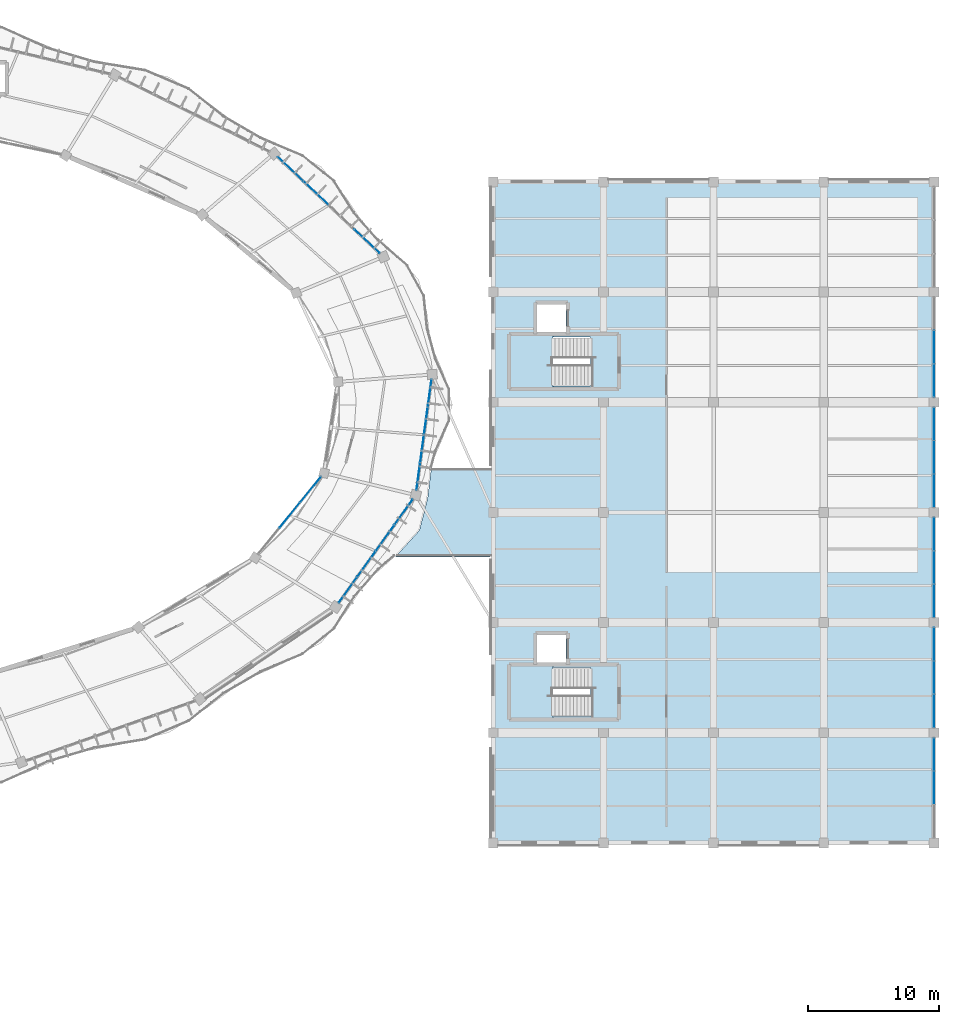
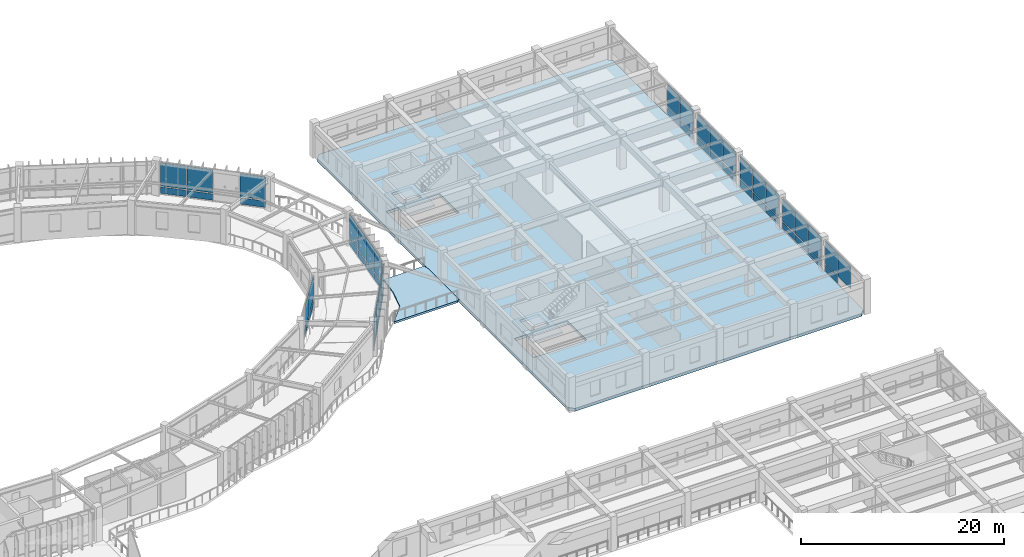
# One storey, part 116 of 152: 51 plates, 4 slabs, 11 elements without a shape of their own.
"""IFC4 building model written with IfcOpenShell, lengths in metres."""

from ifc_helpers import new_model, si_unit, direction, frame, origin, origin_2d, place, context, subcontext, project, spatial, polyline, rectangle, outline, extrude, material, layer, layer_set, type_object, element, aggregate, save


model = new_model("IFC4")

# Units and contexts
model_context = context("Model", 3, precision=1e-05, world=origin(), true_north=direction((0.0, 1.0)))
body_context = subcontext(model_context, "Body", "Model", "MODEL_VIEW")
ifc_project = project(units=[si_unit("LENGTHUNIT", "METRE"), si_unit("AREAUNIT", "SQUARE_METRE"), si_unit("VOLUMEUNIT", "CUBIC_METRE"), si_unit("PLANEANGLEUNIT", "RADIAN"), si_unit("MASSUNIT", "GRAM", prefix="KILO"), si_unit("THERMODYNAMICTEMPERATUREUNIT", "KELVIN"), si_unit("POWERUNIT", "WATT")], contexts=[model_context])

# Site, building, storey
site_placement = place(None, origin())
site = spatial("IfcSite", under=ifc_project, at=site_placement, CompositionType="ELEMENT")
building_placement = place(site_placement, origin())
building = spatial("IfcBuilding", under=site, at=building_placement, Name="Darbajah Civic Hall", CompositionType="ELEMENT")
storey_placement = place(building_placement, frame((0.0, 0.0, 5.39990234375)))
storey = spatial("IfcBuildingStorey", under=building, at=storey_placement, Name="L01", CompositionType="ELEMENT", Elevation=5.39990234375)

# Curtain wall, plates
ifc_material_1 = material(Name="Anodised Bronze Aluminium and Low-E Glazing", Category="aluminium")
curtain_wall_type_1 = type_object("IfcCurtainWallType", Name="Unitised Curtain Wall CW-19 10700x3900", PredefinedType="USERDEFINED", material=ifc_material_1)
curtain_wall_1_placement = place(storey_placement, origin())
curtain_wall_1 = element("IfcCurtainWall", 1, at=curtain_wall_1_placement, inside=storey, type_object=curtain_wall_type_1, Name="L01 unitised curtain wall CW-V1O-L01-01", ObjectType="UNITISED CURTAIN WALL", PredefinedType="USERDEFINED")
ifc_material_2 = material(Name="Low-E Solar Control Double Glazing", Category="glass")
ifc_layer_1 = layer(ifc_material_2, 0.028076171875, Name="Low-E Solar Control Double Glazing")
ifc_layer_set_1 = layer_set([ifc_layer_1], Name="Low-E Solar Control Double Glazing")
plate_type_1 = type_object("IfcPlateType", Name="Solar Double Glazing 28mm", PredefinedType="CURTAIN_PANEL", material=ifc_layer_set_1)
plate_1_placement = place(storey_placement, frame((134.97021484375, 102.26708984375, 0.1201171875), z_axis=(0.0, 0.0, 1.0), x_axis=(-0.727173991201, 0.686453193248, 0.0)))
plate_1 = element("IfcPlate", 2, at=plate_1_placement, type_object=plate_type_1, Name="CW-V1O-L01-01 glazed panel 1.1", PredefinedType="CURTAIN_PANEL", context=body_context, shape_type="SweptSolid", body=[
    extrude(rectangle(XDim=2.607666015625, YDim=0.028076171875, at=origin_2d()), origin(), (0.0, 0.0, 1.0), 0.77001953125),
])
plate_2_placement = place(storey_placement, frame((134.97021484375, 102.26708984375, 1.010009765625), z_axis=(0.0, 0.0, 1.0), x_axis=(-0.727173991201, 0.686453193248, 0.0)))
plate_2 = element("IfcPlate", 3, at=plate_2_placement, type_object=plate_type_1, Name="CW-V1O-L01-01 glazed panel 1.2", PredefinedType="CURTAIN_PANEL", context=body_context, shape_type="SweptSolid", body=[
    extrude(rectangle(XDim=2.607666015625, YDim=0.028076171875, at=origin_2d()), origin(), (0.0, 0.0, 1.0), 2.7900390625),
])
plate_3_placement = place(storey_placement, frame((131.07568359375, 105.94287109375, 0.1201171875), z_axis=(0.0, 0.0, 1.0), x_axis=(-0.727173991201, 0.686453193248, 0.0)))
plate_3 = element("IfcPlate", 4, at=plate_3_placement, type_object=plate_type_1, Name="CW-V1O-L01-01 glazed panel 3.1", PredefinedType="CURTAIN_PANEL", context=body_context, shape_type="SweptSolid", body=[
    extrude(rectangle(XDim=2.607666015625, YDim=0.028076171875, at=origin_2d()), origin(), (0.0, 0.0, 1.0), 0.77001953125),
])
plate_4_placement = place(storey_placement, frame((131.07568359375, 105.94287109375, 1.010009765625), z_axis=(0.0, 0.0, 1.0), x_axis=(-0.727173991201, 0.686453193248, 0.0)))
plate_4 = element("IfcPlate", 5, at=plate_4_placement, type_object=plate_type_1, Name="CW-V1O-L01-01 glazed panel 3.2", PredefinedType="CURTAIN_PANEL", context=body_context, shape_type="SweptSolid", body=[
    extrude(rectangle(XDim=2.607666015625, YDim=0.028076171875, at=origin_2d()), origin(), (0.0, 0.0, 1.0), 2.7900390625),
])
plate_5_placement = place(storey_placement, frame((129.12841796875, 107.781005859375, 0.1201171875), z_axis=(0.0, 0.0, 1.0), x_axis=(-0.727173991201, 0.686453193248, 0.0)))
plate_5 = element("IfcPlate", 6, at=plate_5_placement, type_object=plate_type_1, Name="CW-V1O-L01-01 glazed panel 4.1", PredefinedType="CURTAIN_PANEL", context=body_context, shape_type="SweptSolid", body=[
    extrude(rectangle(XDim=2.607666015625, YDim=0.028076171875, at=origin_2d()), origin(), (0.0, 0.0, 1.0), 0.77001953125),
])
plate_6_placement = place(storey_placement, frame((129.12841796875, 107.781005859375, 1.010009765625), z_axis=(0.0, 0.0, 1.0), x_axis=(-0.727173991201, 0.686453193248, 0.0)))
plate_6 = element("IfcPlate", 7, at=plate_6_placement, type_object=plate_type_1, Name="CW-V1O-L01-01 glazed panel 4.2", PredefinedType="CURTAIN_PANEL", context=body_context, shape_type="SweptSolid", body=[
    extrude(rectangle(XDim=2.607666015625, YDim=0.028076171875, at=origin_2d()), origin(), (0.0, 0.0, 1.0), 2.7900390625),
])
aggregate(curtain_wall_1, [plate_1, plate_2, plate_3, plate_4, plate_5, plate_6])

curtain_wall_type_2 = type_object("IfcCurtainWallType", Name="Unitised Curtain Wall CW-35 7600x3900", PredefinedType="USERDEFINED", material=ifc_material_1)
curtain_wall_2_placement = place(storey_placement, origin())
curtain_wall_2 = element("IfcCurtainWall", 8, at=curtain_wall_2_placement, inside=storey, type_object=curtain_wall_type_2, Name="L01 unitised curtain wall CW-V1I-L01-18", ObjectType="UNITISED CURTAIN WALL", PredefinedType="USERDEFINED")
plate_7_placement = place(storey_placement, frame((129.067626953125, 81.371337890625, 0.1201171875), z_axis=(0.0, 0.0, 1.0), x_axis=(0.63108205791, 0.775716079622, 0.0)))
plate_7 = element("IfcPlate", 9, at=plate_7_placement, type_object=plate_type_1, Name="CW-V1I-L01-18 glazed panel 2.1", PredefinedType="CURTAIN_PANEL", context=body_context, shape_type="SweptSolid", body=[
    extrude(rectangle(XDim=2.46533203125, YDim=0.028076171875, at=origin_2d()), origin(), (0.0, 0.0, 1.0), 0.77001953125),
])
plate_8_placement = place(storey_placement, frame((129.067626953125, 81.371337890625, 1.010009765625), z_axis=(0.0, 0.0, 1.0), x_axis=(0.63108205791, 0.775716079622, 0.0)))
plate_8 = element("IfcPlate", 10, at=plate_8_placement, type_object=plate_type_1, Name="CW-V1I-L01-18 glazed panel 2.2", PredefinedType="CURTAIN_PANEL", context=body_context, shape_type="SweptSolid", body=[
    extrude(rectangle(XDim=2.46533203125, YDim=0.028076171875, at=origin_2d()), origin(), (0.0, 0.0, 1.0), 2.7900390625),
])
plate_9_placement = place(storey_placement, frame((130.667724609375, 83.337890625, 0.1201171875), z_axis=(0.0, 0.0, 1.0), x_axis=(0.63108205791, 0.775716079622, 0.0)))
plate_9 = element("IfcPlate", 11, at=plate_9_placement, type_object=plate_type_1, Name="CW-V1I-L01-18 glazed panel 3.1", PredefinedType="CURTAIN_PANEL", context=body_context, shape_type="SweptSolid", body=[
    extrude(rectangle(XDim=2.46533203125, YDim=0.028076171875, at=origin_2d()), origin(), (0.0, 0.0, 1.0), 0.77001953125),
])
plate_10_placement = place(storey_placement, frame((130.667724609375, 83.337890625, 1.010009765625), z_axis=(0.0, 0.0, 1.0), x_axis=(0.63108205791, 0.775716079622, 0.0)))
plate_10 = element("IfcPlate", 12, at=plate_10_placement, type_object=plate_type_1, Name="CW-V1I-L01-18 glazed panel 3.2", PredefinedType="CURTAIN_PANEL", context=body_context, shape_type="SweptSolid", body=[
    extrude(rectangle(XDim=2.46533203125, YDim=0.028076171875, at=origin_2d()), origin(), (0.0, 0.0, 1.0), 2.7900390625),
])
aggregate(curtain_wall_2, [plate_7, plate_8, plate_9, plate_10])

curtain_wall_type_3 = type_object("IfcCurtainWallType", Name="Unitised Curtain Wall CW-36 8500x3900", PredefinedType="USERDEFINED", material=ifc_material_1)
curtain_wall_3_placement = place(storey_placement, origin())
curtain_wall_3 = element("IfcCurtainWall", 13, at=curtain_wall_3_placement, inside=storey, type_object=curtain_wall_type_3, Name="L01 unitised curtain wall CW-V1O-L01-19", ObjectType="UNITISED CURTAIN WALL", PredefinedType="USERDEFINED")
plate_11_placement = place(storey_placement, frame((138.885498046875, 84.34375, 0.1201171875), z_axis=(0.0, 0.0, 1.0), x_axis=(0.134850930274, 0.990865897387, 0.0)))
plate_11 = element("IfcPlate", 14, at=plate_11_placement, type_object=plate_type_1, Name="CW-V1O-L01-19 glazed panel 1.1", PredefinedType="CURTAIN_PANEL", context=body_context, shape_type="SweptSolid", body=[
    extrude(rectangle(XDim=2.06298828125, YDim=0.028076171875, at=origin_2d()), origin(), (0.0, 0.0, 1.0), 0.77001953125),
])
plate_12_placement = place(storey_placement, frame((138.885498046875, 84.34375, 1.010009765625), z_axis=(0.0, 0.0, 1.0), x_axis=(0.134850930274, 0.990865897387, 0.0)))
plate_12 = element("IfcPlate", 15, at=plate_12_placement, type_object=plate_type_1, Name="CW-V1O-L01-19 glazed panel 1.2", PredefinedType="CURTAIN_PANEL", context=body_context, shape_type="SweptSolid", body=[
    extrude(rectangle(XDim=2.06298828125, YDim=0.028076171875, at=origin_2d()), origin(), (0.0, 0.0, 1.0), 2.7900390625),
])
plate_13_placement = place(storey_placement, frame((139.173095703125, 86.457275390625, 0.1201171875), z_axis=(0.0, 0.0, 1.0), x_axis=(0.134850930274, 0.990865897387, 0.0)))
plate_13 = element("IfcPlate", 16, at=plate_13_placement, type_object=plate_type_1, Name="CW-V1O-L01-19 glazed panel 2.1", PredefinedType="CURTAIN_PANEL", context=body_context, shape_type="SweptSolid", body=[
    extrude(rectangle(XDim=2.06298828125, YDim=0.028076171875, at=origin_2d()), origin(), (0.0, 0.0, 1.0), 0.77001953125),
])
plate_14_placement = place(storey_placement, frame((139.173095703125, 86.457275390625, 1.010009765625), z_axis=(0.0, 0.0, 1.0), x_axis=(0.134850930274, 0.990865897387, 0.0)))
plate_14 = element("IfcPlate", 17, at=plate_14_placement, type_object=plate_type_1, Name="CW-V1O-L01-19 glazed panel 2.2", PredefinedType="CURTAIN_PANEL", context=body_context, shape_type="SweptSolid", body=[
    extrude(rectangle(XDim=2.06298828125, YDim=0.028076171875, at=origin_2d()), origin(), (0.0, 0.0, 1.0), 2.7900390625),
])
plate_15_placement = place(storey_placement, frame((139.460693359375, 88.57080078125, 0.1201171875), z_axis=(0.0, 0.0, 1.0), x_axis=(0.134850930274, 0.990865897387, 0.0)))
plate_15 = element("IfcPlate", 18, at=plate_15_placement, type_object=plate_type_1, Name="CW-V1O-L01-19 glazed panel 3.1", PredefinedType="CURTAIN_PANEL", context=body_context, shape_type="SweptSolid", body=[
    extrude(rectangle(XDim=2.06298828125, YDim=0.028076171875, at=origin_2d()), origin(), (0.0, 0.0, 1.0), 0.77001953125),
])
plate_16_placement = place(storey_placement, frame((139.460693359375, 88.57080078125, 1.010009765625), z_axis=(0.0, 0.0, 1.0), x_axis=(0.134850930274, 0.990865897387, 0.0)))
plate_16 = element("IfcPlate", 19, at=plate_16_placement, type_object=plate_type_1, Name="CW-V1O-L01-19 glazed panel 3.2", PredefinedType="CURTAIN_PANEL", context=body_context, shape_type="SweptSolid", body=[
    extrude(rectangle(XDim=2.06298828125, YDim=0.028076171875, at=origin_2d()), origin(), (0.0, 0.0, 1.0), 2.7900390625),
])
plate_17_placement = place(storey_placement, frame((139.748291015625, 90.68408203125, 0.1201171875), z_axis=(0.0, 0.0, 1.0), x_axis=(0.134850930274, 0.990865897387, 0.0)))
plate_17 = element("IfcPlate", 20, at=plate_17_placement, type_object=plate_type_1, Name="CW-V1O-L01-19 glazed panel 4.1", PredefinedType="CURTAIN_PANEL", context=body_context, shape_type="SweptSolid", body=[
    extrude(rectangle(XDim=2.06298828125, YDim=0.028076171875, at=origin_2d()), origin(), (0.0, 0.0, 1.0), 0.77001953125),
])
plate_18_placement = place(storey_placement, frame((139.748291015625, 90.68408203125, 1.010009765625), z_axis=(0.0, 0.0, 1.0), x_axis=(0.134850930274, 0.990865897387, 0.0)))
plate_18 = element("IfcPlate", 21, at=plate_18_placement, type_object=plate_type_1, Name="CW-V1O-L01-19 glazed panel 4.2", PredefinedType="CURTAIN_PANEL", context=body_context, shape_type="SweptSolid", body=[
    extrude(rectangle(XDim=2.06298828125, YDim=0.028076171875, at=origin_2d()), origin(), (0.0, 0.0, 1.0), 2.7900390625),
])
aggregate(curtain_wall_3, [plate_11, plate_12, plate_13, plate_14, plate_15, plate_16, plate_17, plate_18])

curtain_wall_type_4 = type_object("IfcCurtainWallType", Name="Unitised Curtain Wall CW-34 9700x3900", PredefinedType="USERDEFINED", material=ifc_material_1)
curtain_wall_4_placement = place(storey_placement, origin())
curtain_wall_4 = element("IfcCurtainWall", 22, at=curtain_wall_4_placement, inside=storey, type_object=curtain_wall_type_4, Name="L01 unitised curtain wall CW-V1O-L01-18", ObjectType="UNITISED CURTAIN WALL", PredefinedType="USERDEFINED")
ifc_layer_2 = layer(ifc_material_2, 0.031982421875, Name="Low-E Solar Control Double Glazing")
ifc_layer_set_2 = layer_set([ifc_layer_2], Name="Low-E Solar Control Double Glazing")
plate_type_2 = type_object("IfcPlateType", Name="Solar Double Glazing 32mm", PredefinedType="CURTAIN_PANEL", material=ifc_layer_set_2)
plate_19_placement = place(storey_placement, frame((133.512451171875, 75.68212890625, 0.14013671875), z_axis=(0.0, 0.0, 1.0), x_axis=(0.582264874145, 0.812999149039, 0.0)))
plate_19 = element("IfcPlate", 23, at=plate_19_placement, type_object=plate_type_2, Name="CW-V1O-L01-18 glazed panel 1.1", PredefinedType="CURTAIN_PANEL", context=body_context, shape_type="SweptSolid", body=[
    extrude(rectangle(XDim=2.3583984375, YDim=0.031982421875, at=origin_2d()), origin(), (0.0, 0.0, 1.0), 0.739990234375),
])
plate_20_placement = place(storey_placement, frame((133.512451171875, 75.68212890625, 1.02001953125), z_axis=(0.0, 0.0, 1.0), x_axis=(0.582264874145, 0.812999149039, 0.0)))
plate_20 = element("IfcPlate", 24, at=plate_20_placement, type_object=plate_type_2, Name="CW-V1O-L01-18 glazed panel 1.2", PredefinedType="CURTAIN_PANEL", context=body_context, shape_type="SweptSolid", body=[
    extrude(rectangle(XDim=2.3583984375, YDim=0.031982421875, at=origin_2d()), origin(), (0.0, 0.0, 1.0), 2.760009765625),
])
plate_21_placement = place(storey_placement, frame((134.92919921875, 77.66064453125, 0.14013671875), z_axis=(0.0, 0.0, 1.0), x_axis=(0.582264874145, 0.812999149039, 0.0)))
plate_21 = element("IfcPlate", 25, at=plate_21_placement, type_object=plate_type_2, Name="CW-V1O-L01-18 glazed panel 2.1", PredefinedType="CURTAIN_PANEL", context=body_context, shape_type="SweptSolid", body=[
    extrude(rectangle(XDim=2.3583984375, YDim=0.031982421875, at=origin_2d()), origin(), (0.0, 0.0, 1.0), 0.739990234375),
])
plate_22_placement = place(storey_placement, frame((134.92919921875, 77.66064453125, 1.02001953125), z_axis=(0.0, 0.0, 1.0), x_axis=(0.582264874145, 0.812999149039, 0.0)))
plate_22 = element("IfcPlate", 26, at=plate_22_placement, type_object=plate_type_2, Name="CW-V1O-L01-18 glazed panel 2.2", PredefinedType="CURTAIN_PANEL", context=body_context, shape_type="SweptSolid", body=[
    extrude(rectangle(XDim=2.3583984375, YDim=0.031982421875, at=origin_2d()), origin(), (0.0, 0.0, 1.0), 2.760009765625),
])
plate_23_placement = place(storey_placement, frame((136.34619140625, 79.63916015625, 0.14013671875), z_axis=(0.0, 0.0, 1.0), x_axis=(0.582264874145, 0.812999149039, 0.0)))
plate_23 = element("IfcPlate", 27, at=plate_23_placement, type_object=plate_type_2, Name="CW-V1O-L01-18 glazed panel 3.1", PredefinedType="CURTAIN_PANEL", context=body_context, shape_type="SweptSolid", body=[
    extrude(rectangle(XDim=2.3583984375, YDim=0.031982421875, at=origin_2d()), origin(), (0.0, 0.0, 1.0), 0.739990234375),
])
plate_24_placement = place(storey_placement, frame((136.34619140625, 79.63916015625, 1.02001953125), z_axis=(0.0, 0.0, 1.0), x_axis=(0.582264874145, 0.812999149039, 0.0)))
plate_24 = element("IfcPlate", 28, at=plate_24_placement, type_object=plate_type_2, Name="CW-V1O-L01-18 glazed panel 3.2", PredefinedType="CURTAIN_PANEL", context=body_context, shape_type="SweptSolid", body=[
    extrude(rectangle(XDim=2.3583984375, YDim=0.031982421875, at=origin_2d()), origin(), (0.0, 0.0, 1.0), 2.760009765625),
])
plate_25_placement = place(storey_placement, frame((137.762939453125, 81.61767578125, 0.14013671875), z_axis=(0.0, 0.0, 1.0), x_axis=(0.582264874145, 0.812999149039, 0.0)))
plate_25 = element("IfcPlate", 29, at=plate_25_placement, type_object=plate_type_2, Name="CW-V1O-L01-18 glazed panel 4.1", PredefinedType="CURTAIN_PANEL", context=body_context, shape_type="SweptSolid", body=[
    extrude(rectangle(XDim=2.3583984375, YDim=0.031982421875, at=origin_2d()), origin(), (0.0, 0.0, 1.0), 0.739990234375),
])
plate_26_placement = place(storey_placement, frame((137.762939453125, 81.61767578125, 1.02001953125), z_axis=(0.0, 0.0, 1.0), x_axis=(0.582264874145, 0.812999149039, 0.0)))
plate_26 = element("IfcPlate", 30, at=plate_26_placement, type_object=plate_type_2, Name="CW-V1O-L01-18 glazed panel 4.2", PredefinedType="CURTAIN_PANEL", context=body_context, shape_type="SweptSolid", body=[
    extrude(rectangle(XDim=2.3583984375, YDim=0.031982421875, at=origin_2d()), origin(), (0.0, 0.0, 1.0), 2.760009765625),
])
aggregate(curtain_wall_4, [plate_19, plate_20, plate_21, plate_22, plate_23, plate_24, plate_25, plate_26])

curtain_wall_type_5 = type_object("IfcCurtainWallType", Name="Unitised Curtain Wall CW-96 7600x3850", PredefinedType="USERDEFINED", material=ifc_material_1)
curtain_wall_5_placement = place(storey_placement, origin())
curtain_wall_5 = element("IfcCurtainWall", 31, at=curtain_wall_5_placement, inside=storey, type_object=curtain_wall_type_5, Name="L01 unitised curtain wall CW-V4-L01-S1-B0", ObjectType="UNITISED CURTAIN WALL", PredefinedType="USERDEFINED")
plate_27_placement = place(storey_placement, frame((178.199951171875, 60.60009765625, 1.010009765625), z_axis=(0.0, 0.0, 1.0), x_axis=(0.0, 1.0, 0.0)))
plate_27 = element("IfcPlate", 32, at=plate_27_placement, type_object=plate_type_2, Name="CW-V4-L01-S1-B0 glazed panel 2.2", PredefinedType="CURTAIN_PANEL", context=body_context, shape_type="SweptSolid", body=[
    extrude(rectangle(XDim=2.478759765625, YDim=0.031982421875, at=origin_2d()), origin(), (0.0, 0.0, 1.0), 2.72998046875),
])
plate_28_placement = place(storey_placement, frame((178.199951171875, 63.148681640625, 0.1201171875), z_axis=(0.0, 0.0, 1.0), x_axis=(0.0, 1.0, 0.0)))
plate_28 = element("IfcPlate", 33, at=plate_28_placement, type_object=plate_type_2, Name="CW-V4-L01-S1-B0 glazed panel 3.1", PredefinedType="CURTAIN_PANEL", context=body_context, shape_type="SweptSolid", body=[
    extrude(rectangle(XDim=2.478759765625, YDim=0.031982421875, at=origin_2d()), origin(), (0.0, 0.0, 1.0), 0.77001953125),
])
plate_29_placement = place(storey_placement, frame((178.199951171875, 63.148681640625, 1.010009765625), z_axis=(0.0, 0.0, 1.0), x_axis=(0.0, 1.0, 0.0)))
plate_29 = element("IfcPlate", 34, at=plate_29_placement, type_object=plate_type_2, Name="CW-V4-L01-S1-B0 glazed panel 3.2", PredefinedType="CURTAIN_PANEL", context=body_context, shape_type="SweptSolid", body=[
    extrude(rectangle(XDim=2.478759765625, YDim=0.031982421875, at=origin_2d()), origin(), (0.0, 0.0, 1.0), 2.72998046875),
])
aggregate(curtain_wall_5, [plate_27, plate_28, plate_29])

curtain_wall_6_placement = place(storey_placement, origin())
curtain_wall_6 = element("IfcCurtainWall", 35, at=curtain_wall_6_placement, inside=storey, type_object=curtain_wall_type_5, Name="L01 unitised curtain wall CW-V4-L01-S1-B1", ObjectType="UNITISED CURTAIN WALL", PredefinedType="USERDEFINED")
plate_30_placement = place(storey_placement, frame((178.199951171875, 66.451416015625, 0.1201171875), z_axis=(0.0, 0.0, 1.0), x_axis=(0.0, 1.0, 0.0)))
plate_30 = element("IfcPlate", 36, at=plate_30_placement, type_object=plate_type_2, Name="CW-V4-L01-S1-B1 glazed panel 1.1", PredefinedType="CURTAIN_PANEL", context=body_context, shape_type="SweptSolid", body=[
    extrude(rectangle(XDim=2.478759765625, YDim=0.031982421875, at=origin_2d()), origin(), (0.0, 0.0, 1.0), 0.77001953125),
])
plate_31_placement = place(storey_placement, frame((178.199951171875, 66.451416015625, 1.010009765625), z_axis=(0.0, 0.0, 1.0), x_axis=(0.0, 1.0, 0.0)))
plate_31 = element("IfcPlate", 37, at=plate_31_placement, type_object=plate_type_2, Name="CW-V4-L01-S1-B1 glazed panel 1.2", PredefinedType="CURTAIN_PANEL", context=body_context, shape_type="SweptSolid", body=[
    extrude(rectangle(XDim=2.478759765625, YDim=0.031982421875, at=origin_2d()), origin(), (0.0, 0.0, 1.0), 2.72998046875),
])
plate_32_placement = place(storey_placement, frame((178.199951171875, 69.0, 0.1201171875), z_axis=(0.0, 0.0, 1.0), x_axis=(0.0, 1.0, 0.0)))
plate_32 = element("IfcPlate", 38, at=plate_32_placement, type_object=plate_type_2, Name="CW-V4-L01-S1-B1 glazed panel 2.1", PredefinedType="CURTAIN_PANEL", context=body_context, shape_type="SweptSolid", body=[
    extrude(rectangle(XDim=2.478759765625, YDim=0.031982421875, at=origin_2d()), origin(), (0.0, 0.0, 1.0), 0.77001953125),
])
plate_33_placement = place(storey_placement, frame((178.199951171875, 69.0, 1.010009765625), z_axis=(0.0, 0.0, 1.0), x_axis=(0.0, 1.0, 0.0)))
plate_33 = element("IfcPlate", 39, at=plate_33_placement, type_object=plate_type_2, Name="CW-V4-L01-S1-B1 glazed panel 2.2", PredefinedType="CURTAIN_PANEL", context=body_context, shape_type="SweptSolid", body=[
    extrude(rectangle(XDim=2.478759765625, YDim=0.031982421875, at=origin_2d()), origin(), (0.0, 0.0, 1.0), 2.72998046875),
])
plate_34_placement = place(storey_placement, frame((178.199951171875, 71.548583984375, 0.1201171875), z_axis=(0.0, 0.0, 1.0), x_axis=(0.0, 1.0, 0.0)))
plate_34 = element("IfcPlate", 40, at=plate_34_placement, type_object=plate_type_2, Name="CW-V4-L01-S1-B1 glazed panel 3.1", PredefinedType="CURTAIN_PANEL", context=body_context, shape_type="SweptSolid", body=[
    extrude(rectangle(XDim=2.478759765625, YDim=0.031982421875, at=origin_2d()), origin(), (0.0, 0.0, 1.0), 0.77001953125),
])
plate_35_placement = place(storey_placement, frame((178.199951171875, 71.548583984375, 1.010009765625), z_axis=(0.0, 0.0, 1.0), x_axis=(0.0, 1.0, 0.0)))
plate_35 = element("IfcPlate", 41, at=plate_35_placement, type_object=plate_type_2, Name="CW-V4-L01-S1-B1 glazed panel 3.2", PredefinedType="CURTAIN_PANEL", context=body_context, shape_type="SweptSolid", body=[
    extrude(rectangle(XDim=2.478759765625, YDim=0.031982421875, at=origin_2d()), origin(), (0.0, 0.0, 1.0), 2.72998046875),
])
aggregate(curtain_wall_6, [plate_30, plate_31, plate_32, plate_33, plate_34, plate_35])

curtain_wall_7_placement = place(storey_placement, origin())
curtain_wall_7 = element("IfcCurtainWall", 42, at=curtain_wall_7_placement, inside=storey, type_object=curtain_wall_type_5, Name="L01 unitised curtain wall CW-V4-L01-S1-B2", ObjectType="UNITISED CURTAIN WALL", PredefinedType="USERDEFINED")
plate_36_placement = place(storey_placement, frame((178.199951171875, 74.851318359375, 0.1201171875), z_axis=(0.0, 0.0, 1.0), x_axis=(0.0, 1.0, 0.0)))
plate_36 = element("IfcPlate", 43, at=plate_36_placement, type_object=plate_type_2, Name="CW-V4-L01-S1-B2 glazed panel 1.1", PredefinedType="CURTAIN_PANEL", context=body_context, shape_type="SweptSolid", body=[
    extrude(rectangle(XDim=2.478759765625, YDim=0.031982421875, at=origin_2d()), origin(), (0.0, 0.0, 1.0), 0.77001953125),
])
plate_37_placement = place(storey_placement, frame((178.199951171875, 74.851318359375, 1.010009765625), z_axis=(0.0, 0.0, 1.0), x_axis=(0.0, 1.0, 0.0)))
plate_37 = element("IfcPlate", 44, at=plate_37_placement, type_object=plate_type_2, Name="CW-V4-L01-S1-B2 glazed panel 1.2", PredefinedType="CURTAIN_PANEL", context=body_context, shape_type="SweptSolid", body=[
    extrude(rectangle(XDim=2.478759765625, YDim=0.031982421875, at=origin_2d()), origin(), (0.0, 0.0, 1.0), 2.72998046875),
])
plate_38_placement = place(storey_placement, frame((178.199951171875, 77.39990234375, 0.1201171875), z_axis=(0.0, 0.0, 1.0), x_axis=(0.0, 1.0, 0.0)))
plate_38 = element("IfcPlate", 45, at=plate_38_placement, type_object=plate_type_2, Name="CW-V4-L01-S1-B2 glazed panel 2.1", PredefinedType="CURTAIN_PANEL", context=body_context, shape_type="SweptSolid", body=[
    extrude(rectangle(XDim=2.478759765625, YDim=0.031982421875, at=origin_2d()), origin(), (0.0, 0.0, 1.0), 0.77001953125),
])
plate_39_placement = place(storey_placement, frame((178.199951171875, 77.39990234375, 1.010009765625), z_axis=(0.0, 0.0, 1.0), x_axis=(0.0, 1.0, 0.0)))
plate_39 = element("IfcPlate", 46, at=plate_39_placement, type_object=plate_type_2, Name="CW-V4-L01-S1-B2 glazed panel 2.2", PredefinedType="CURTAIN_PANEL", context=body_context, shape_type="SweptSolid", body=[
    extrude(rectangle(XDim=2.478759765625, YDim=0.031982421875, at=origin_2d()), origin(), (0.0, 0.0, 1.0), 2.72998046875),
])
plate_40_placement = place(storey_placement, frame((178.199951171875, 79.94873046875, 0.1201171875), z_axis=(0.0, 0.0, 1.0), x_axis=(0.0, 1.0, 0.0)))
plate_40 = element("IfcPlate", 47, at=plate_40_placement, type_object=plate_type_2, Name="CW-V4-L01-S1-B2 glazed panel 3.1", PredefinedType="CURTAIN_PANEL", context=body_context, shape_type="SweptSolid", body=[
    extrude(rectangle(XDim=2.478759765625, YDim=0.031982421875, at=origin_2d()), origin(), (0.0, 0.0, 1.0), 0.77001953125),
])
plate_41_placement = place(storey_placement, frame((178.199951171875, 79.94873046875, 1.010009765625), z_axis=(0.0, 0.0, 1.0), x_axis=(0.0, 1.0, 0.0)))
plate_41 = element("IfcPlate", 48, at=plate_41_placement, type_object=plate_type_2, Name="CW-V4-L01-S1-B2 glazed panel 3.2", PredefinedType="CURTAIN_PANEL", context=body_context, shape_type="SweptSolid", body=[
    extrude(rectangle(XDim=2.478759765625, YDim=0.031982421875, at=origin_2d()), origin(), (0.0, 0.0, 1.0), 2.72998046875),
])
aggregate(curtain_wall_7, [plate_36, plate_37, plate_38, plate_39, plate_40, plate_41])

curtain_wall_8_placement = place(storey_placement, origin())
curtain_wall_8 = element("IfcCurtainWall", 49, at=curtain_wall_8_placement, inside=storey, type_object=curtain_wall_type_5, Name="L01 unitised curtain wall CW-V4-L01-S1-B3", ObjectType="UNITISED CURTAIN WALL", PredefinedType="USERDEFINED")
plate_42_placement = place(storey_placement, frame((178.199951171875, 83.25146484375, 0.1201171875), z_axis=(0.0, 0.0, 1.0), x_axis=(0.0, 1.0, 0.0)))
plate_42 = element("IfcPlate", 50, at=plate_42_placement, type_object=plate_type_2, Name="CW-V4-L01-S1-B3 glazed panel 1.1", PredefinedType="CURTAIN_PANEL", context=body_context, shape_type="SweptSolid", body=[
    extrude(rectangle(XDim=2.478759765625, YDim=0.031982421875, at=origin_2d()), origin(), (0.0, 0.0, 1.0), 0.77001953125),
])
plate_43_placement = place(storey_placement, frame((178.199951171875, 83.25146484375, 1.010009765625), z_axis=(0.0, 0.0, 1.0), x_axis=(0.0, 1.0, 0.0)))
plate_43 = element("IfcPlate", 51, at=plate_43_placement, type_object=plate_type_2, Name="CW-V4-L01-S1-B3 glazed panel 1.2", PredefinedType="CURTAIN_PANEL", context=body_context, shape_type="SweptSolid", body=[
    extrude(rectangle(XDim=2.478759765625, YDim=0.031982421875, at=origin_2d()), origin(), (0.0, 0.0, 1.0), 2.72998046875),
])
plate_44_placement = place(storey_placement, frame((178.199951171875, 85.800048828125, 0.1201171875), z_axis=(0.0, 0.0, 1.0), x_axis=(0.0, 1.0, 0.0)))
plate_44 = element("IfcPlate", 52, at=plate_44_placement, type_object=plate_type_2, Name="CW-V4-L01-S1-B3 glazed panel 2.1", PredefinedType="CURTAIN_PANEL", context=body_context, shape_type="SweptSolid", body=[
    extrude(rectangle(XDim=2.478759765625, YDim=0.031982421875, at=origin_2d()), origin(), (0.0, 0.0, 1.0), 0.77001953125),
])
plate_45_placement = place(storey_placement, frame((178.199951171875, 85.800048828125, 1.010009765625), z_axis=(0.0, 0.0, 1.0), x_axis=(0.0, 1.0, 0.0)))
plate_45 = element("IfcPlate", 53, at=plate_45_placement, type_object=plate_type_2, Name="CW-V4-L01-S1-B3 glazed panel 2.2", PredefinedType="CURTAIN_PANEL", context=body_context, shape_type="SweptSolid", body=[
    extrude(rectangle(XDim=2.478759765625, YDim=0.031982421875, at=origin_2d()), origin(), (0.0, 0.0, 1.0), 2.72998046875),
])
plate_46_placement = place(storey_placement, frame((178.199951171875, 88.3486328125, 0.1201171875), z_axis=(0.0, 0.0, 1.0), x_axis=(0.0, 1.0, 0.0)))
plate_46 = element("IfcPlate", 54, at=plate_46_placement, type_object=plate_type_2, Name="CW-V4-L01-S1-B3 glazed panel 3.1", PredefinedType="CURTAIN_PANEL", context=body_context, shape_type="SweptSolid", body=[
    extrude(rectangle(XDim=2.478759765625, YDim=0.031982421875, at=origin_2d()), origin(), (0.0, 0.0, 1.0), 0.77001953125),
])
plate_47_placement = place(storey_placement, frame((178.199951171875, 88.3486328125, 1.010009765625), z_axis=(0.0, 0.0, 1.0), x_axis=(0.0, 1.0, 0.0)))
plate_47 = element("IfcPlate", 55, at=plate_47_placement, type_object=plate_type_2, Name="CW-V4-L01-S1-B3 glazed panel 3.2", PredefinedType="CURTAIN_PANEL", context=body_context, shape_type="SweptSolid", body=[
    extrude(rectangle(XDim=2.478759765625, YDim=0.031982421875, at=origin_2d()), origin(), (0.0, 0.0, 1.0), 2.72998046875),
])
aggregate(curtain_wall_8, [plate_42, plate_43, plate_44, plate_45, plate_46, plate_47])

curtain_wall_9_placement = place(storey_placement, origin())
curtain_wall_9 = element("IfcCurtainWall", 56, at=curtain_wall_9_placement, inside=storey, type_object=curtain_wall_type_5, Name="L01 unitised curtain wall CW-V4-L01-S1-B4", ObjectType="UNITISED CURTAIN WALL", PredefinedType="USERDEFINED")
plate_48_placement = place(storey_placement, frame((178.199951171875, 91.6513671875, 0.1201171875), z_axis=(0.0, 0.0, 1.0), x_axis=(0.0, 1.0, 0.0)))
plate_48 = element("IfcPlate", 57, at=plate_48_placement, type_object=plate_type_2, Name="CW-V4-L01-S1-B4 glazed panel 1.1", PredefinedType="CURTAIN_PANEL", context=body_context, shape_type="SweptSolid", body=[
    extrude(rectangle(XDim=2.478759765625, YDim=0.031982421875, at=origin_2d()), origin(), (0.0, 0.0, 1.0), 0.77001953125),
])
plate_49_placement = place(storey_placement, frame((178.199951171875, 91.6513671875, 1.010009765625), z_axis=(0.0, 0.0, 1.0), x_axis=(0.0, 1.0, 0.0)))
plate_49 = element("IfcPlate", 58, at=plate_49_placement, type_object=plate_type_2, Name="CW-V4-L01-S1-B4 glazed panel 1.2", PredefinedType="CURTAIN_PANEL", context=body_context, shape_type="SweptSolid", body=[
    extrude(rectangle(XDim=2.478759765625, YDim=0.031982421875, at=origin_2d()), origin(), (0.0, 0.0, 1.0), 2.72998046875),
])
plate_50_placement = place(storey_placement, frame((178.199951171875, 94.199951171875, 0.1201171875), z_axis=(0.0, 0.0, 1.0), x_axis=(0.0, 1.0, 0.0)))
plate_50 = element("IfcPlate", 59, at=plate_50_placement, type_object=plate_type_2, Name="CW-V4-L01-S1-B4 glazed panel 2.1", PredefinedType="CURTAIN_PANEL", context=body_context, shape_type="SweptSolid", body=[
    extrude(rectangle(XDim=2.478759765625, YDim=0.031982421875, at=origin_2d()), origin(), (0.0, 0.0, 1.0), 0.77001953125),
])
plate_51_placement = place(storey_placement, frame((178.199951171875, 94.199951171875, 1.010009765625), z_axis=(0.0, 0.0, 1.0), x_axis=(0.0, 1.0, 0.0)))
plate_51 = element("IfcPlate", 60, at=plate_51_placement, type_object=plate_type_2, Name="CW-V4-L01-S1-B4 glazed panel 2.2", PredefinedType="CURTAIN_PANEL", context=body_context, shape_type="SweptSolid", body=[
    extrude(rectangle(XDim=2.478759765625, YDim=0.031982421875, at=origin_2d()), origin(), (0.0, 0.0, 1.0), 2.72998046875),
])
aggregate(curtain_wall_9, [plate_48, plate_49, plate_50, plate_51])

# Stair, slab
ifc_material_3 = material(Name="Concrete C45/55", Category="concrete")
stair_type = type_object("IfcStairType", Name="Half Turn Stair 1650x4200", PredefinedType="HALF_TURN_STAIR", material=ifc_material_3)
stair_1_placement = place(storey_placement, origin())
stair_1 = element("IfcStair", 61, at=stair_1_placement, inside=storey, type_object=stair_type, Name="L01 enclosed exit stair ST08", PredefinedType="HALF_TURN_STAIR")
ifc_layer_3 = layer(ifc_material_3, 0.199951171875, Name="Concrete C45/55")
ifc_layer_set_3 = layer_set([ifc_layer_3], Name="Concrete C45/55")
slab_type_1 = type_object("IfcSlabType", Name="Stair Landing Slab 200mm", PredefinedType="LANDING", material=ifc_layer_set_3)
slab_1_placement = place(storey_placement, frame((0.0, 0.0, 1.900146484375)))
slab_1 = element("IfcSlab", 62, at=slab_1_placement, type_object=slab_type_1, Name="ST08 L01 half-landing", PredefinedType="LANDING", context=body_context, shape_type="SweptSolid", body=[
    extrude(outline(polyline([(145.800048828125, 91.0), (149.159912109375, 91.0), (149.159912109375, 95.199951171875), (145.800048828125, 95.199951171875), (145.800048828125, 91.0)])), origin(), (0.0, 0.0, 1.0), 0.199951171875),
])
aggregate(stair_1, [slab_1])

stair_2_placement = place(storey_placement, origin())
stair_2 = element("IfcStair", 63, at=stair_2_placement, inside=storey, type_object=stair_type, Name="L01 enclosed exit stair ST09", PredefinedType="HALF_TURN_STAIR")
slab_2_placement = place(storey_placement, frame((0.0, 0.0, 1.900146484375)))
slab_2 = element("IfcSlab", 64, at=slab_2_placement, type_object=slab_type_1, Name="ST09 L01 half-landing", PredefinedType="LANDING", context=body_context, shape_type="SweptSolid", body=[
    extrude(outline(polyline([(145.800048828125, 65.800048828125), (149.159912109375, 65.800048828125), (149.159912109375, 70.0), (145.800048828125, 70.0), (145.800048828125, 65.800048828125)])), origin(), (0.0, 0.0, 1.0), 0.199951171875),
])
aggregate(stair_2, [slab_2])

# Slabs
ifc_layer_4 = layer(ifc_material_3, 0.239990234375, Name="Concrete C45/55")
ifc_layer_set_4 = layer_set([ifc_layer_4], Name="Concrete C45/55")
slab_type_2 = type_object("IfcSlabType", Name="Structural Floor Slab 240mm", PredefinedType="FLOOR", material=ifc_layer_set_4)
slab_3_placement = place(storey_placement, frame((0.0, 0.0, -0.239990234375)))
element("IfcSlab", 65, at=slab_3_placement, inside=storey, type_object=slab_type_2, Name="L01 Screened Link Walk E floor slab", PredefinedType="FLOOR", context=body_context, shape_type="SweptSolid", body=[
    extrude(outline(polyline([(144.35009765625, 85.0), (144.60009765625, 84.75), (144.60009765625, 78.449951171875), (144.35009765625, 78.199951171875), (137.1220703125, 78.199951171875), (138.9599609375, 80.2216796875), (138.963134765625, 80.2255859375), (138.9658203125, 80.2294921875), (138.968017578125, 80.23388671875), (138.969970703125, 80.23828125), (138.971435546875, 80.2431640625), (139.59521484375, 82.695556640625), (139.59619140625, 82.701904296875), (139.87548828125, 85.0), (144.35009765625, 85.0)])), origin(), (0.0, 0.0, 1.0), 0.239990234375),
])
ifc_layer_5 = layer(ifc_material_3, 0.340087890625, Name="Concrete C45/55")
ifc_layer_set_5 = layer_set([ifc_layer_5], Name="Concrete C45/55")
slab_type_3 = type_object("IfcSlabType", Name="Structural Floor Slab 340mm", PredefinedType="FLOOR", material=ifc_layer_set_5)
slab_4_placement = place(storey_placement, frame((0.0, 0.0, -0.33984375)))
element("IfcSlab", 66, at=slab_4_placement, inside=storey, type_object=slab_type_3, Name="L01 Members Library floor slab", PredefinedType="FLOOR", context=body_context, shape_type="SweptSolid", body=[
    extrude(outline(polyline([(145.10009765625, 56.39990234375), (177.699951171875, 56.39990234375), (178.199951171875, 56.89990234375), (178.199951171875, 106.300048828125), (177.699951171875, 106.800048828125), (145.10009765625, 106.800048828125), (144.60009765625, 106.300048828125), (144.60009765625, 56.89990234375), (145.10009765625, 56.39990234375)]), holes=[polyline([(145.93994140625, 94.97998046875), (152.02001953125, 94.97998046875), (152.02001953125, 91.219970703125), (145.93994140625, 91.219970703125), (145.93994140625, 94.97998046875)]), polyline([(147.949951171875, 97.449951171875), (150.14990234375, 97.449951171875), (150.14990234375, 95.35009765625), (147.949951171875, 95.35009765625), (147.949951171875, 97.449951171875)]), polyline([(145.93994140625, 69.780029296875), (152.02001953125, 69.780029296875), (152.02001953125, 66.02001953125), (145.93994140625, 66.02001953125), (145.93994140625, 69.780029296875)]), polyline([(147.949951171875, 72.25), (150.14990234375, 72.25), (150.14990234375, 70.14990234375), (147.949951171875, 70.14990234375), (147.949951171875, 72.25)])]), origin(), (0.0, 0.0, 1.0), 0.33984375),
])

save(model, "model.ifc")
